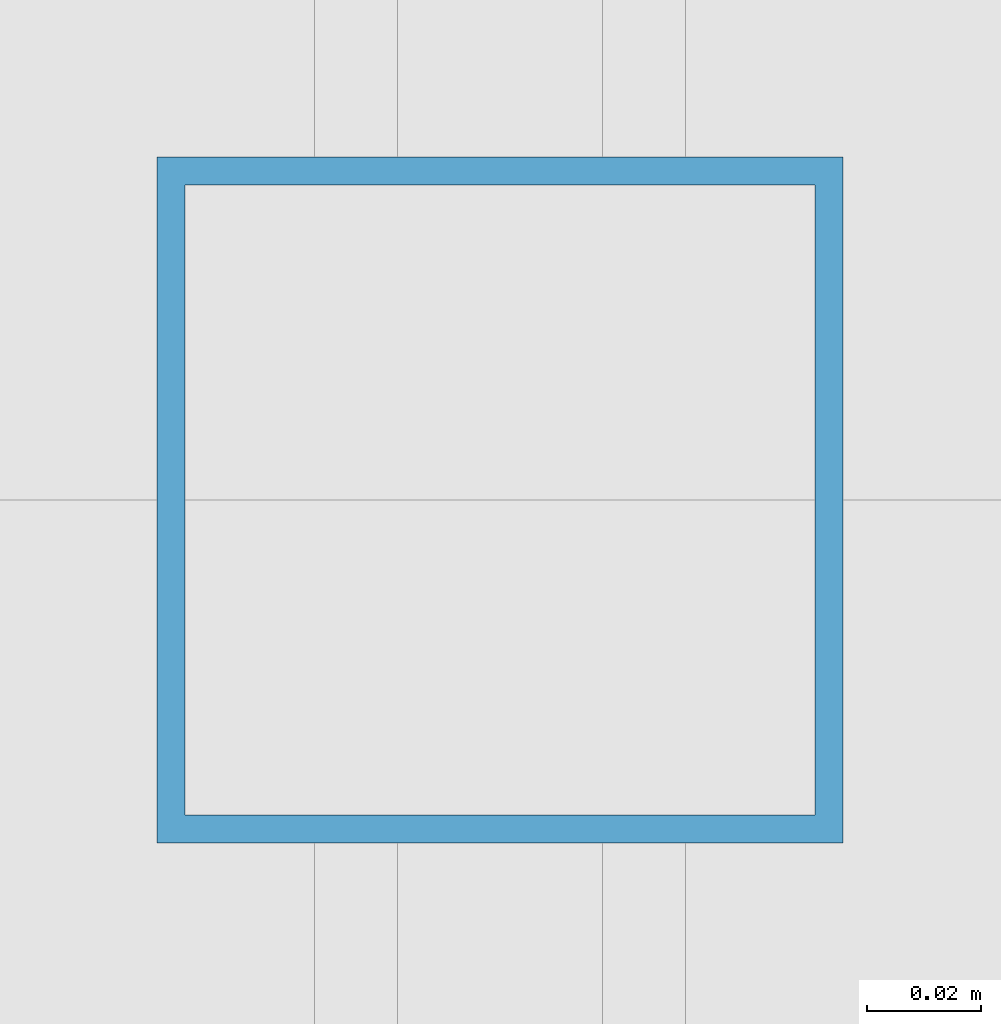
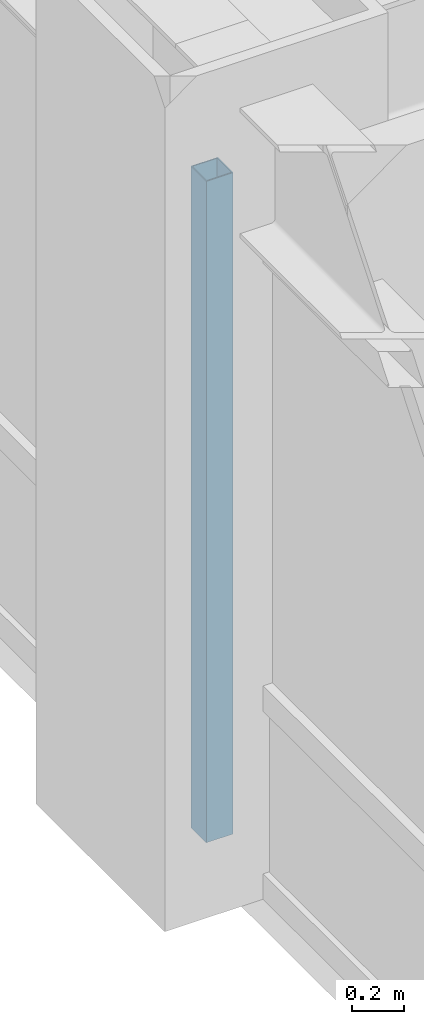
# One storey, part 6 of 24: 1 member, 1 element without a shape of its own.
"""IFC4 building model written with IfcOpenShell, lengths in metres."""

import ifcopenshell
import ifcopenshell.guid

model = None  # the IFC model being written
_history = None  # IfcOwnerHistory: only IFC2X3 demands one
_inside = {}  # id of a spatial element -> (the spatial element, [elements in it])
_under = {}  # id of a project, library or spatial element -> (it, [spatial elements below it])
_declared = {}  # id of a project -> (the project, [libraries it declares])
_typed = {}  # id of a type object -> (the type object, [elements of that type])
_made_of = {}  # id of a material, layer set ... -> (it, [elements and type objects made of it])


def new_model(schema):
    """Start an empty IFC model of exactly this schema.

    Asked for "IFC4X3", IfcOpenShell would pick the latest addendum, in which some entities
    have other attributes; the version numbers below select the first issue.
    IFC2X3 requires an IfcOwnerHistory on every rooted entity: one is made here for all.
    """
    global model, _history
    if schema == "IFC4X3":
        model = ifcopenshell.file(schema_version=(4, 3, 0, 0))
    else:
        model = ifcopenshell.file(schema=schema)
    _inside.clear()
    _under.clear()
    _declared.clear()
    _typed.clear()
    _made_of.clear()
    _history = None
    if model.schema == "IFC2X3":
        org = make("IfcOrganization", Name="unknown")
        user = make(
            "IfcPersonAndOrganization",
            ThePerson=make("IfcPerson", FamilyName="unknown"),
            TheOrganization=org,
        )
        app = make(
            "IfcApplication",
            ApplicationDeveloper=org,
            Version="unknown",
            ApplicationFullName="unknown",
            ApplicationIdentifier="unknown",
        )
        _history = make(
            "IfcOwnerHistory",
            OwningUser=user,
            OwningApplication=app,
            ChangeAction="ADDED",
            CreationDate=0,
        )
    return model


def make(cls, **values):
    """One entity of the class cls with the attributes given. An attribute that is None is left unset."""
    return model.create_entity(
        cls, **{name: value for name, value in values.items() if value is not None}
    )


def rooted(cls, **values):
    """An entity with a GlobalId (a new one), such as an element, a storey or a relation."""
    return make(cls, GlobalId=ifcopenshell.guid.new(), OwnerHistory=_history, **values)


def si_unit(unit_type, name, prefix=None):
    """IfcSIUnit, for example si_unit("LENGTHUNIT", "METRE", prefix="MILLI")."""
    return make("IfcSIUnit", UnitType=unit_type, Prefix=prefix, Name=name)


def assignment(units):
    """IfcUnitAssignment: the units of a project."""
    return None if units is None else make("IfcUnitAssignment", Units=units)


def point(xyz):
    """IfcCartesianPoint."""
    return None if xyz is None else make("IfcCartesianPoint", Coordinates=xyz)


def direction(xyz):
    """IfcDirection."""
    return None if xyz is None else make("IfcDirection", DirectionRatios=xyz)


def frame(location, z_axis=None, x_axis=None):
    """IfcAxis2Placement3D, a coordinate frame: its origin and axes. An axis left out is left unset."""
    return make(
        "IfcAxis2Placement3D",
        Location=point(location),
        Axis=direction(z_axis),
        RefDirection=direction(x_axis),
    )


def frame_2d(location, x_axis=None):
    """IfcAxis2Placement2D, a coordinate frame in the plane: its origin and x axis."""
    return make(
        "IfcAxis2Placement2D", Location=point(location), RefDirection=direction(x_axis)
    )


def origin():
    """The frame at (0, 0, 0) with its axes left unset."""
    return frame((0.0, 0.0, 0.0))


def origin_2d():
    """The frame at (0, 0) in the plane with its x axis left unset."""
    return frame_2d((0.0, 0.0))


def place(relative_to, where):
    """IfcLocalPlacement: puts the frame where relative to a parent placement (None: the world)."""
    return make(
        "IfcLocalPlacement", PlacementRelTo=relative_to, RelativePlacement=where
    )


def context(
    kind, dimensions, precision=None, world=None, true_north=None, identifier=None
):
    """IfcGeometricRepresentationContext, for example the 3D "Model" context."""
    return make(
        "IfcGeometricRepresentationContext",
        ContextIdentifier=identifier,
        ContextType=kind,
        CoordinateSpaceDimension=dimensions,
        Precision=precision,
        WorldCoordinateSystem=world,
        TrueNorth=true_north,
    )


def subcontext(parent, identifier, kind, view, scale=None):
    """IfcGeometricRepresentationSubContext, for example "Body" below "Model"."""
    return make(
        "IfcGeometricRepresentationSubContext",
        ContextIdentifier=identifier,
        ContextType=kind,
        ParentContext=parent,
        TargetScale=scale,
        TargetView=view,
    )


def project(units=None, contexts=None):
    """IfcProject with its units and contexts."""
    return rooted(
        "IfcProject",
        Name="project",
        RepresentationContexts=contexts,
        UnitsInContext=assignment(units),
    )


def spatial(cls, under=None, at=None, **own):
    """A site, building, storey or space (cls), placed at a placement, below another one or the project."""
    s = rooted(cls, ObjectPlacement=at, **own)
    if under is not None:
        _under.setdefault(under.id(), (under, []))[1].append(s)
    return s


def profile(cls, at=None, kind="AREA", **sizes):
    """A parametric profile (cls). Its sizes go by their IFC names, for example OverallWidth=200.0."""
    return make(cls, ProfileType=kind, Position=at, **sizes)


def hollow_rectangle(**sizes):
    """IfcRectangleHollowProfileDef."""
    return profile("IfcRectangleHollowProfileDef", **sizes)


def extrude(swept, where, along, depth):
    """IfcExtrudedAreaSolid: the profile swept, set in the frame where, extruded along a direction by depth."""
    return make(
        "IfcExtrudedAreaSolid",
        SweptArea=swept,
        Position=where,
        ExtrudedDirection=direction(along),
        Depth=depth,
    )


def shape(context_of_items, identifier, shape_type, items):
    """IfcShapeRepresentation: the items that make up one representation, for example the "Body"."""
    return make(
        "IfcShapeRepresentation",
        ContextOfItems=context_of_items,
        RepresentationIdentifier=identifier,
        RepresentationType=shape_type,
        Items=items,
    )


def source(mapping_origin, context_of_items, identifier, shape_type, items):
    """IfcRepresentationMap: a shape defined once, which mapped items show again and again."""
    return make(
        "IfcRepresentationMap",
        MappingOrigin=mapping_origin,
        MappedRepresentation=shape(context_of_items, identifier, shape_type, items),
    )


def transform(
    local_origin,
    x_axis=None,
    y_axis=None,
    z_axis=None,
    scale=None,
    scale2=None,
    scale3=None,
    uniform=True,
):
    """IfcCartesianTransformationOperator3D, or its non-uniform kind. x_axis, y_axis, z_axis: its Axis1, 2, 3."""
    if uniform:
        return make(
            "IfcCartesianTransformationOperator3D",
            Axis1=direction(x_axis),
            Axis2=direction(y_axis),
            LocalOrigin=point(local_origin),
            Scale=scale,
            Axis3=direction(z_axis),
        )
    return make(
        "IfcCartesianTransformationOperator3DnonUniform",
        Axis1=direction(x_axis),
        Axis2=direction(y_axis),
        LocalOrigin=point(local_origin),
        Scale=scale,
        Axis3=direction(z_axis),
        Scale2=scale2,
        Scale3=scale3,
    )


def mapped(mapping_source, mapping_target):
    """IfcMappedItem: shows the shape of a source again, moved by a transform."""
    return make(
        "IfcMappedItem", MappingSource=mapping_source, MappingTarget=mapping_target
    )


def material(Name=None, Category=None):
    """IfcMaterial."""
    return make("IfcMaterial", Name=Name, Category=Category)


def material_profile(
    of_material, cross_section, Name=None, Category=None, Priority=None
):
    """IfcMaterialProfile: a cross section and its material."""
    return make(
        "IfcMaterialProfile",
        Name=Name,
        Material=of_material,
        Profile=cross_section,
        Priority=Priority,
        Category=Category,
    )


def profile_set(profiles, Name=None, composite=None):
    """IfcMaterialProfileSet."""
    return make(
        "IfcMaterialProfileSet",
        Name=Name,
        MaterialProfiles=profiles,
        CompositeProfile=composite,
    )


def made_of(thing, what):
    """Note that an element or type object is made of a material, layer set ...; save() writes the relation."""
    if what is not None:
        _made_of.setdefault(what.id(), (what, []))[1].append(thing)
    return thing


def type_object(cls, material=None, **own):
    """A type object (cls), such as IfcWallType, which elements share."""
    return made_of(rooted(cls, **own), material)


def element(
    cls,
    number,
    at=None,
    inside=None,
    cuts=None,
    type_object=None,
    material=None,
    context=None,
    identifier="Body",
    shape_type=None,
    held_by="IfcProductDefinitionShape",
    body=None,
    shapes=None,
    **own,
):
    """One element of the class cls, such as IfcWall. Its Tag is "e" and its number.

    at: its placement. inside: the storey or other place that contains it. cuts: it is an
    opening in that element (IfcRelVoidsElement). A single representation is given by context,
    identifier, shape_type and body (its items); several are given by shapes. held_by: the class
    of the entity that holds the representations. save() writes the other relations.
    """
    e = rooted(cls, Tag="e%d" % number, ObjectPlacement=at, **own)
    if body is not None:
        shapes = [shape(context, identifier, shape_type, body)]
    if shapes is not None:
        e.Representation = make(held_by, Representations=shapes)
    if inside is not None:
        _inside.setdefault(inside.id(), (inside, []))[1].append(e)
    if cuts is not None:
        rooted(
            "IfcRelVoidsElement", RelatingBuildingElement=cuts, RelatedOpeningElement=e
        )
    if type_object is not None:
        _typed.setdefault(type_object.id(), (type_object, []))[1].append(e)
    return made_of(e, material)


def aggregate(whole, parts):
    """IfcRelAggregates: a whole, such as a stair, and the parts it consists of."""
    return rooted("IfcRelAggregates", RelatingObject=whole, RelatedObjects=parts)


def save(model, path):
    """Write the relations noted so far, then the file.

    IfcRelAggregates (storeys below a building ...), IfcRelContainedInSpatialStructure (elements
    in a storey), IfcRelDefinesByType, IfcRelAssociatesMaterial and IfcRelDeclares: one each for
    every whole, place, type object, material and project.
    """
    for whole, parts in _under.values():
        aggregate(whole, parts)
    for where, things in _inside.values():
        rooted(
            "IfcRelContainedInSpatialStructure",
            RelatedElements=things,
            RelatingStructure=where,
        )
    for kind, things in _typed.values():
        rooted("IfcRelDefinesByType", RelatedObjects=things, RelatingType=kind)
    for what, things in _made_of.values():
        rooted("IfcRelAssociatesMaterial", RelatedObjects=things, RelatingMaterial=what)
    for by, libraries in _declared.values():
        rooted("IfcRelDeclares", RelatingContext=by, RelatedDefinitions=libraries)
    model.write(path)


model = new_model("IFC4")

# Units and contexts
model_context = context("Model", 3, precision=1e-05, world=origin(), true_north=direction((0.0, 1.0)))
body_context = subcontext(model_context, "Body", "Model", "MODEL_VIEW")
ifc_project = project(units=[si_unit("LENGTHUNIT", "METRE"), si_unit("AREAUNIT", "SQUARE_METRE"), si_unit("VOLUMEUNIT", "CUBIC_METRE"), si_unit("PLANEANGLEUNIT", "RADIAN"), si_unit("MASSUNIT", "GRAM", prefix="KILO")], contexts=[model_context])

# Site, building, storey
site_placement = place(None, origin())
site = spatial("IfcSite", under=ifc_project, at=site_placement, CompositionType="ELEMENT")
building_placement = place(site_placement, origin())
building = spatial("IfcBuilding", under=site, at=building_placement, Name="Khorayat Bourse Tower", CompositionType="ELEMENT")
storey_placement = place(building_placement, frame((0.0, 0.0, 219.10009765625)))
storey = spatial("IfcBuildingStorey", under=building, at=storey_placement, Name="L51", CompositionType="ELEMENT", Elevation=219.10009765625)

# Curtain wall, member
ifc_material = material(Name="Aluminium EN AW-6063 T6", Category="aluminium")
curtain_wall_type = type_object("IfcCurtainWallType", Name="CW-SYS-03", PredefinedType="NOTDEFINED", material=ifc_material)
curtain_wall_placement = place(storey_placement, origin())
curtain_wall = element("IfcCurtainWall", 1, at=curtain_wall_placement, inside=storey, type_object=curtain_wall_type, Name="L51 Curtain Wall CW-L51-W1", PredefinedType="NOTDEFINED")
ifc_material_profile = material_profile(ifc_material, hollow_rectangle(XDim=0.1201171875, YDim=0.1201171875, WallThickness=0.0048828125, at=origin_2d()), Name="ALU 120x120x5")
ifc_profile_set = profile_set([ifc_material_profile], Name="Aluminium EN AW-6063 T6")
member_type = type_object("IfcMemberType", Name="CWM-VERT-120", PredefinedType="MULLION", material=ifc_profile_set)
shared_shape = source(origin(), body_context, "Body", "SweptSolid", [
    extrude(hollow_rectangle(XDim=0.1201171875, YDim=0.1201171875, WallThickness=0.0048828125, at=origin_2d()), origin(), (0.0, 0.0, 1.0), 3.1298828125),
])
member_placement = place(storey_placement, frame((-30.0, 0.0, 0.0), z_axis=(0.0, 0.0, 1.0), x_axis=(-1.0, 0.0, 0.0)))
member = element("IfcMember", 2, at=member_placement, type_object=member_type, Name="CW-L51-W1 Vertical Mullion 2", PredefinedType="MULLION", context=body_context, shape_type="MappedRepresentation", body=[
    mapped(shared_shape, transform((0.0, 0.0, 0.0), scale=1.0)),
])
aggregate(curtain_wall, [member])

save(model, "model.ifc")
